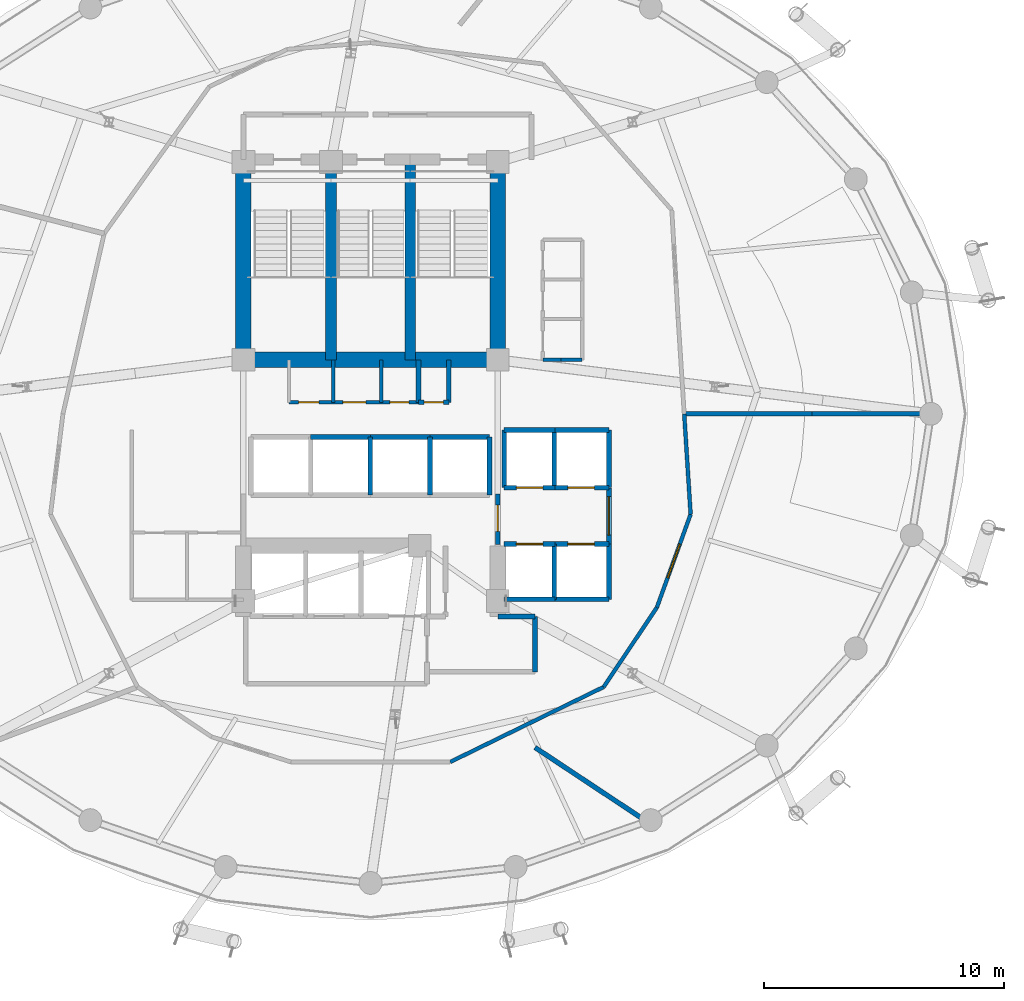
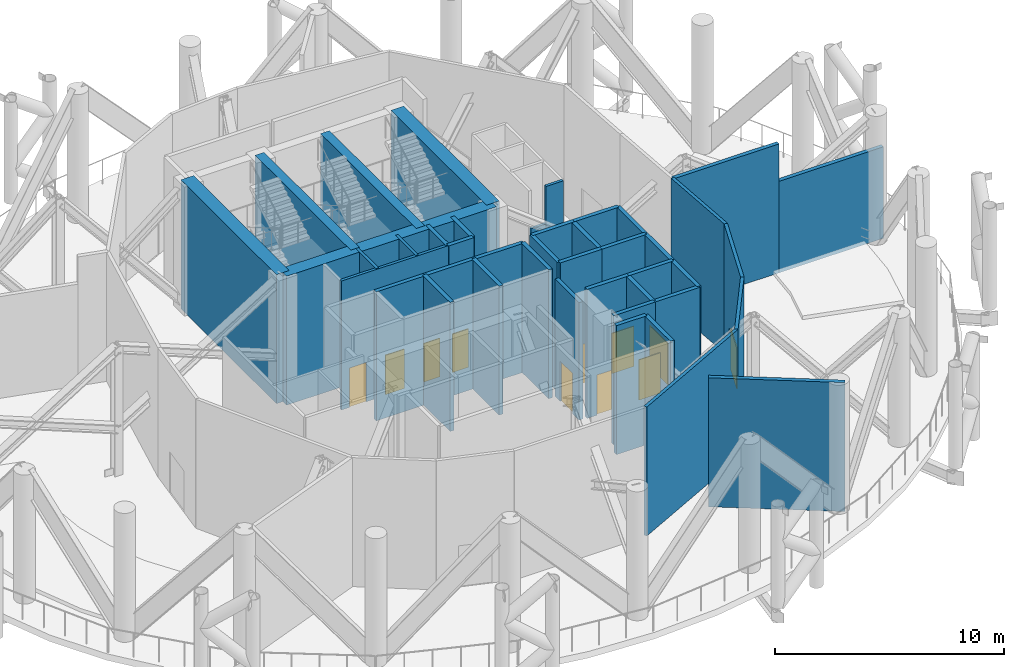
# One storey, part 8 of 18: 43 walls, 11 doors, 11 openings.
"""IFC4 building model written with IfcOpenShell, lengths in metres."""

import ifcopenshell
import ifcopenshell.guid

model = None  # the IFC model being written
_history = None  # IfcOwnerHistory: only IFC2X3 demands one
_inside = {}  # id of a spatial element -> (the spatial element, [elements in it])
_under = {}  # id of a project, library or spatial element -> (it, [spatial elements below it])
_declared = {}  # id of a project -> (the project, [libraries it declares])
_typed = {}  # id of a type object -> (the type object, [elements of that type])
_made_of = {}  # id of a material, layer set ... -> (it, [elements and type objects made of it])


def new_model(schema):
    """Start an empty IFC model of exactly this schema.

    Asked for "IFC4X3", IfcOpenShell would pick the latest addendum, in which some entities
    have other attributes; the version numbers below select the first issue.
    IFC2X3 requires an IfcOwnerHistory on every rooted entity: one is made here for all.
    """
    global model, _history
    if schema == "IFC4X3":
        model = ifcopenshell.file(schema_version=(4, 3, 0, 0))
    else:
        model = ifcopenshell.file(schema=schema)
    _inside.clear()
    _under.clear()
    _declared.clear()
    _typed.clear()
    _made_of.clear()
    _history = None
    if model.schema == "IFC2X3":
        org = make("IfcOrganization", Name="unknown")
        user = make(
            "IfcPersonAndOrganization",
            ThePerson=make("IfcPerson", FamilyName="unknown"),
            TheOrganization=org,
        )
        app = make(
            "IfcApplication",
            ApplicationDeveloper=org,
            Version="unknown",
            ApplicationFullName="unknown",
            ApplicationIdentifier="unknown",
        )
        _history = make(
            "IfcOwnerHistory",
            OwningUser=user,
            OwningApplication=app,
            ChangeAction="ADDED",
            CreationDate=0,
        )
    return model


def make(cls, **values):
    """One entity of the class cls with the attributes given. An attribute that is None is left unset."""
    return model.create_entity(
        cls, **{name: value for name, value in values.items() if value is not None}
    )


def rooted(cls, **values):
    """An entity with a GlobalId (a new one), such as an element, a storey or a relation."""
    return make(cls, GlobalId=ifcopenshell.guid.new(), OwnerHistory=_history, **values)


def si_unit(unit_type, name, prefix=None):
    """IfcSIUnit, for example si_unit("LENGTHUNIT", "METRE", prefix="MILLI")."""
    return make("IfcSIUnit", UnitType=unit_type, Prefix=prefix, Name=name)


def assignment(units):
    """IfcUnitAssignment: the units of a project."""
    return None if units is None else make("IfcUnitAssignment", Units=units)


def point(xyz):
    """IfcCartesianPoint."""
    return None if xyz is None else make("IfcCartesianPoint", Coordinates=xyz)


def direction(xyz):
    """IfcDirection."""
    return None if xyz is None else make("IfcDirection", DirectionRatios=xyz)


def frame(location, z_axis=None, x_axis=None):
    """IfcAxis2Placement3D, a coordinate frame: its origin and axes. An axis left out is left unset."""
    return make(
        "IfcAxis2Placement3D",
        Location=point(location),
        Axis=direction(z_axis),
        RefDirection=direction(x_axis),
    )


def frame_2d(location, x_axis=None):
    """IfcAxis2Placement2D, a coordinate frame in the plane: its origin and x axis."""
    return make(
        "IfcAxis2Placement2D", Location=point(location), RefDirection=direction(x_axis)
    )


def origin():
    """The frame at (0, 0, 0) with its axes left unset."""
    return frame((0.0, 0.0, 0.0))


def place(relative_to, where):
    """IfcLocalPlacement: puts the frame where relative to a parent placement (None: the world)."""
    return make(
        "IfcLocalPlacement", PlacementRelTo=relative_to, RelativePlacement=where
    )


def context(
    kind, dimensions, precision=None, world=None, true_north=None, identifier=None
):
    """IfcGeometricRepresentationContext, for example the 3D "Model" context."""
    return make(
        "IfcGeometricRepresentationContext",
        ContextIdentifier=identifier,
        ContextType=kind,
        CoordinateSpaceDimension=dimensions,
        Precision=precision,
        WorldCoordinateSystem=world,
        TrueNorth=true_north,
    )


def subcontext(parent, identifier, kind, view, scale=None):
    """IfcGeometricRepresentationSubContext, for example "Body" below "Model"."""
    return make(
        "IfcGeometricRepresentationSubContext",
        ContextIdentifier=identifier,
        ContextType=kind,
        ParentContext=parent,
        TargetScale=scale,
        TargetView=view,
    )


def project(units=None, contexts=None):
    """IfcProject with its units and contexts."""
    return rooted(
        "IfcProject",
        Name="project",
        RepresentationContexts=contexts,
        UnitsInContext=assignment(units),
    )


def spatial(cls, under=None, at=None, **own):
    """A site, building, storey or space (cls), placed at a placement, below another one or the project."""
    s = rooted(cls, ObjectPlacement=at, **own)
    if under is not None:
        _under.setdefault(under.id(), (under, []))[1].append(s)
    return s


def profile(cls, at=None, kind="AREA", **sizes):
    """A parametric profile (cls). Its sizes go by their IFC names, for example OverallWidth=200.0."""
    return make(cls, ProfileType=kind, Position=at, **sizes)


def rectangle(**sizes):
    """IfcRectangleProfileDef."""
    return profile("IfcRectangleProfileDef", **sizes)


def extrude(swept, where, along, depth):
    """IfcExtrudedAreaSolid: the profile swept, set in the frame where, extruded along a direction by depth."""
    return make(
        "IfcExtrudedAreaSolid",
        SweptArea=swept,
        Position=where,
        ExtrudedDirection=direction(along),
        Depth=depth,
    )


def shape(context_of_items, identifier, shape_type, items):
    """IfcShapeRepresentation: the items that make up one representation, for example the "Body"."""
    return make(
        "IfcShapeRepresentation",
        ContextOfItems=context_of_items,
        RepresentationIdentifier=identifier,
        RepresentationType=shape_type,
        Items=items,
    )


def material(Name=None, Category=None):
    """IfcMaterial."""
    return make("IfcMaterial", Name=Name, Category=Category)


def layer(
    of_material, thickness, ventilated=None, Name=None, Category=None, Priority=None
):
    """IfcMaterialLayer: one layer of a wall or slab, of a material (None: an air gap)."""
    return make(
        "IfcMaterialLayer",
        Material=of_material,
        LayerThickness=thickness,
        IsVentilated=ventilated,
        Name=Name,
        Category=Category,
        Priority=Priority,
    )


def layer_set(layers, Name=None):
    """IfcMaterialLayerSet."""
    return make("IfcMaterialLayerSet", MaterialLayers=layers, LayerSetName=Name)


def made_of(thing, what):
    """Note that an element or type object is made of a material, layer set ...; save() writes the relation."""
    if what is not None:
        _made_of.setdefault(what.id(), (what, []))[1].append(thing)
    return thing


def type_object(cls, material=None, **own):
    """A type object (cls), such as IfcWallType, which elements share."""
    return made_of(rooted(cls, **own), material)


def element(
    cls,
    number,
    at=None,
    inside=None,
    cuts=None,
    type_object=None,
    material=None,
    context=None,
    identifier="Body",
    shape_type=None,
    held_by="IfcProductDefinitionShape",
    body=None,
    shapes=None,
    **own,
):
    """One element of the class cls, such as IfcWall. Its Tag is "e" and its number.

    at: its placement. inside: the storey or other place that contains it. cuts: it is an
    opening in that element (IfcRelVoidsElement). A single representation is given by context,
    identifier, shape_type and body (its items); several are given by shapes. held_by: the class
    of the entity that holds the representations. save() writes the other relations.
    """
    e = rooted(cls, Tag="e%d" % number, ObjectPlacement=at, **own)
    if body is not None:
        shapes = [shape(context, identifier, shape_type, body)]
    if shapes is not None:
        e.Representation = make(held_by, Representations=shapes)
    if inside is not None:
        _inside.setdefault(inside.id(), (inside, []))[1].append(e)
    if cuts is not None:
        rooted(
            "IfcRelVoidsElement", RelatingBuildingElement=cuts, RelatedOpeningElement=e
        )
    if type_object is not None:
        _typed.setdefault(type_object.id(), (type_object, []))[1].append(e)
    return made_of(e, material)


def fill(opening, filler):
    """IfcRelFillsElement: the door or window that sits in an opening."""
    return rooted(
        "IfcRelFillsElement",
        RelatingOpeningElement=opening,
        RelatedBuildingElement=filler,
    )


def aggregate(whole, parts):
    """IfcRelAggregates: a whole, such as a stair, and the parts it consists of."""
    return rooted("IfcRelAggregates", RelatingObject=whole, RelatedObjects=parts)


def save(model, path):
    """Write the relations noted so far, then the file.

    IfcRelAggregates (storeys below a building ...), IfcRelContainedInSpatialStructure (elements
    in a storey), IfcRelDefinesByType, IfcRelAssociatesMaterial and IfcRelDeclares: one each for
    every whole, place, type object, material and project.
    """
    for whole, parts in _under.values():
        aggregate(whole, parts)
    for where, things in _inside.values():
        rooted(
            "IfcRelContainedInSpatialStructure",
            RelatedElements=things,
            RelatingStructure=where,
        )
    for kind, things in _typed.values():
        rooted("IfcRelDefinesByType", RelatedObjects=things, RelatingType=kind)
    for what, things in _made_of.values():
        rooted("IfcRelAssociatesMaterial", RelatedObjects=things, RelatingMaterial=what)
    for by, libraries in _declared.values():
        rooted("IfcRelDeclares", RelatingContext=by, RelatedDefinitions=libraries)
    model.write(path)


model = new_model("IFC4")

# Units and contexts
model_context = context("Model", 3, precision=1e-05, world=origin(), true_north=direction((0.0, 1.0)))
body_context = subcontext(model_context, "Body", "Model", "MODEL_VIEW")
ifc_project = project(units=[si_unit("LENGTHUNIT", "METRE"), si_unit("AREAUNIT", "SQUARE_METRE"), si_unit("VOLUMEUNIT", "CUBIC_METRE"), si_unit("PLANEANGLEUNIT", "RADIAN"), si_unit("MASSUNIT", "GRAM", prefix="KILO")], contexts=[model_context])

# Site, building, storey
site_placement = place(None, origin())
site = spatial("IfcSite", under=ifc_project, at=site_placement, CompositionType="ELEMENT")
building_placement = place(site_placement, origin())
building = spatial("IfcBuilding", under=site, at=building_placement, Name="Nuhasar Tower", CompositionType="ELEMENT")
storey_placement = place(building_placement, frame((0.0, 0.0, 195.949951171875)))
storey = spatial("IfcBuildingStorey", under=building, at=storey_placement, Name="L48", CompositionType="ELEMENT", Elevation=195.949951171875)

# Walls
ifc_material_1 = material(Name="Concrete C50/60", Category="concrete")
ifc_layer_1 = layer(ifc_material_1, 0.449951171875)
ifc_layer_set_1 = layer_set([ifc_layer_1], Name="Concrete C50/60")
wall_type_1 = type_object("IfcWallType", Name="WL-CORE-450", PredefinedType="SHEAR", material=ifc_layer_set_1)
for number, where, z_axis, x_axis, name in (
    (1, (37.35009765625, 29.050048828125, 0.0), (0.0, 0.0, 1.0), (0.0, 1.0, 0.0), "L48 Stairwell Shear Wall ST01-E"),
    (2, (40.64990234375, 29.050048828125, 0.0), (0.0, 0.0, 1.0), (0.0, 1.0, 0.0), "L48 Stairwell Shear Wall ST03-E"),
):
    element("IfcWall", number, at=place(storey_placement, frame(where, z_axis=z_axis, x_axis=x_axis)), inside=storey, type_object=wall_type_1, Name=name, PredefinedType="SHEAR", context=body_context, shape_type="SweptSolid", body=[
        extrude(rectangle(XDim=8.349853515625, YDim=0.449951171875, at=frame_2d((4.1748046875, 0.0))), origin(), (0.0, 0.0, 1.0), 6.880126953125),
    ])
ifc_material_2 = material(Name="Concrete C65/80", Category="concrete")
ifc_layer_2 = layer(ifc_material_2, 0.64990234375)
ifc_layer_set_2 = layer_set([ifc_layer_2], Name="Concrete C65/80")
wall_type_2 = type_object("IfcWallType", Name="WL-CORE-650", PredefinedType="SHEAR", material=ifc_layer_set_2)
for number, where, z_axis, x_axis, name in (
    (3, (33.699951171875, 29.050048828125, 0.0), (0.0, 0.0, 1.0), (0.0, 1.0, 0.0), "L48 Core Shear Wall CW-NW CW-650"),
    (4, (44.300048828125, 29.050048828125, 0.0), (0.0, 0.0, 1.0), (0.0, 1.0, 0.0), "L48 Core Shear Wall CW-NE CW-650"),
):
    element("IfcWall", number, at=place(storey_placement, frame(where, z_axis=z_axis, x_axis=x_axis)), inside=storey, type_object=wall_type_2, Name=name, PredefinedType="SHEAR", context=body_context, shape_type="SweptSolid", body=[
        extrude(rectangle(XDim=8.349853515625, YDim=0.64990234375, at=frame_2d((4.1748046875, 0.0))), origin(), (0.0, 0.0, 1.0), 6.880126953125),
    ])
wall_1_placement = place(storey_placement, frame((33.699951171875, 29.050048828125, 0.0), z_axis=(0.0, 0.0, 1.0), x_axis=(1.0, 0.0, 0.0)))
element("IfcWall", 5, at=wall_1_placement, inside=storey, type_object=wall_type_2, Name="L48 Core Shear Wall CW-N1 CW-650", PredefinedType="SHEAR", context=body_context, shape_type="SweptSolid", body=[
    extrude(rectangle(XDim=10.60009765625, YDim=0.64990234375, at=frame_2d((5.300048828125, 0.0))), origin(), (0.0, 0.0, 1.0), 6.880126953125),
])
ifc_material_3 = material(Name="Gypsum Board", Category="gypsum")
ifc_layer_3 = layer(ifc_material_3, 0.159912109375)
ifc_layer_set_3 = layer_set([ifc_layer_3], Name="Gypsum Board")
wall_type_3 = type_object("IfcWallType", Name="WL-CORR-160", PredefinedType="PARTITIONING", material=ifc_layer_set_3)
wall_2_placement = place(storey_placement, frame((42.318115234375, 12.2919921875, 0.0), z_axis=(0.0, 0.0, 1.0), x_axis=(0.898437278598, 0.439101874768, 0.0)))
element("IfcWall", 6, at=wall_2_placement, inside=storey, type_object=wall_type_3, Name="L48 Interior Partition CORR-38", PredefinedType="PARTITIONING", context=body_context, shape_type="SweptSolid", body=[
    extrude(rectangle(XDim=7.119140625, YDim=0.159912109375, at=frame_2d((3.5595703125, 0.0))), origin(), (0.0, 0.0, 1.0), 6.880126953125),
])
wall_3_placement = place(storey_placement, frame((48.714111328125, 15.41796875, 0.0), z_axis=(0.0, 0.0, 1.0), x_axis=(0.556056751682, 0.831144324958, 0.0)))
element("IfcWall", 7, at=wall_3_placement, inside=storey, type_object=wall_type_3, Name="L48 Interior Partition CORR-42", PredefinedType="PARTITIONING", context=body_context, shape_type="SweptSolid", body=[
    extrude(rectangle(XDim=3.98486328125, YDim=0.159912109375, at=frame_2d((1.992431640625, 0.0))), origin(), (0.0, 0.0, 1.0), 6.880126953125),
])

# Wall, opening, door
wall_4_placement = place(storey_placement, frame((52.3369140625, 22.614013671875, 0.0), z_axis=(0.0, 0.0, 1.0), x_axis=(-0.34058972089, -0.940212019719, 0.0)))
wall_4 = element("IfcWall", 8, at=wall_4_placement, inside=storey, type_object=wall_type_3, Name="L48 Interior Partition CORR-44", PredefinedType="PARTITIONING", context=body_context, shape_type="SweptSolid", body=[
    extrude(rectangle(XDim=4.131103515625, YDim=0.159912109375, at=frame_2d((2.0654296875, 0.0))), origin(), (0.0, 0.0, 1.0), 6.880126953125),
])
opening_1_placement = place(wall_4_placement, frame((1.31494140625, 0.0, 0.0)))
opening_1 = element("IfcOpeningElement", 9, at=opening_1_placement, cuts=wall_4, Name="Opening DP-01", PredefinedType="OPENING", context=body_context, shape_type="SweptSolid", body=[
    extrude(rectangle(XDim=1.5, YDim=2.199951171875, at=frame_2d((0.75, 1.10009765625))), frame((0.0, 0.08984375, 0.0), z_axis=(0.0, -1.0, 0.0), x_axis=(1.0, 0.0, 0.0)), (0.0, 0.0, 1.0), 0.179931640625),
])
ifc_material_4 = material(Name="Steel S355", Category="steel")
door_type_1 = type_object("IfcDoorType", Name="DR-PLANT-FD120-1500", OperationType="DOUBLE_DOOR_SINGLE_SWING", PredefinedType="DOOR", material=ifc_material_4)
door_1_placement = place(opening_1_placement, origin())
door_1 = element("IfcDoor", 10, at=door_1_placement, inside=storey, type_object=door_type_1, Name="L48 South-East Electrical Switchgear Plant Door", OperationType="DOUBLE_DOOR_SINGLE_SWING", OverallHeight=2.199951171875, OverallWidth=1.5, PredefinedType="DOOR", context=body_context, shape_type="SweptSolid", body=[
    extrude(rectangle(XDim=1.5, YDim=2.199951171875, at=frame_2d((0.75, 1.10009765625))), frame((0.0, 0.02490234375, 0.0), z_axis=(0.0, -1.0, 0.0), x_axis=(1.0, 0.0, 0.0)), (0.0, 0.0, 1.0), 0.050048828125),
])
fill(opening_1, door_1)

# Wall
wall_5_placement = place(storey_placement, frame((52.3369140625, 22.614013671875, 0.0), z_axis=(0.0, 0.0, 1.0), x_axis=(-0.063617518313, 0.997974354061, 0.0)))
element("IfcWall", 11, at=wall_5_placement, inside=storey, type_object=wall_type_3, Name="L48 Interior Partition CORR-46", PredefinedType="PARTITIONING", context=body_context, shape_type="SweptSolid", body=[
    extrude(rectangle(XDim=4.194580078125, YDim=0.159912109375, at=frame_2d((2.09716796875, 0.0))), origin(), (0.0, 0.0, 1.0), 6.880126953125),
])

# Wall, opening, door
ifc_material_5 = material(Name="Concrete C45/55", Category="concrete")
ifc_layer_4 = layer(ifc_material_5, 0.199951171875)
ifc_layer_set_4 = layer_set([ifc_layer_4], Name="Concrete C45/55")
wall_type_4 = type_object("IfcWallType", Name="WL-LOBBY-200", PredefinedType="SOLIDWALL", material=ifc_layer_set_4)
wall_6_placement = place(storey_placement, frame((48.929931640625, 21.3798828125, 0.0), z_axis=(0.0, 0.0, 1.0), x_axis=(0.0, 1.0, 0.0)))
wall_6 = element("IfcWall", 12, at=wall_6_placement, inside=storey, type_object=wall_type_4, Name="L48 Interior Partition LLBM-E", PredefinedType="SOLIDWALL", context=body_context, shape_type="SweptSolid", body=[
    extrude(rectangle(XDim=2.340087890625, YDim=0.199951171875, at=frame_2d((1.169921875, 0.0))), origin(), (0.0, 0.0, 1.0), 6.880126953125),
])
opening_2_placement = place(wall_6_placement, frame((0.3701171875, 0.0, 0.0)))
opening_2 = element("IfcOpeningElement", 13, at=opening_2_placement, cuts=wall_6, Name="Opening DC-01", PredefinedType="OPENING", context=body_context, shape_type="SweptSolid", body=[
    extrude(rectangle(XDim=1.60009765625, YDim=2.199951171875, at=frame_2d((0.800048828125, 1.10009765625))), frame((0.0, 0.10986328125, 0.0), z_axis=(0.0, -1.0, 0.0), x_axis=(1.0, 0.0, 0.0)), (0.0, 0.0, 1.0), 0.219970703125),
])
door_type_2 = type_object("IfcDoorType", Name="DR-CORR-FD60-1600", OperationType="DOUBLE_DOOR_SINGLE_SWING", PredefinedType="DOOR", material=ifc_material_4)
door_2_placement = place(opening_2_placement, origin())
door_2 = element("IfcDoor", 14, at=door_2_placement, inside=storey, type_object=door_type_2, Name="L48 Mid-Rise Lift Lobby East Entry", OperationType="DOUBLE_DOOR_SINGLE_SWING", OverallHeight=2.199951171875, OverallWidth=1.60009765625, PredefinedType="DOOR", context=body_context, shape_type="SweptSolid", body=[
    extrude(rectangle(XDim=1.60009765625, YDim=2.199951171875, at=frame_2d((0.800048828125, 1.10009765625))), frame((0.0, 0.02490234375, 0.0), z_axis=(0.0, -1.0, 0.0), x_axis=(1.0, 0.0, 0.0)), (0.0, 0.0, 1.0), 0.050048828125),
])
fill(opening_2, door_2)

wall_7_placement = place(storey_placement, frame((44.300048828125, 21.35009765625, 0.0), z_axis=(0.0, 0.0, 1.0), x_axis=(0.0, 1.0, 0.0)))
wall_7 = element("IfcWall", 15, at=wall_7_placement, inside=storey, type_object=wall_type_4, Name="L48 Interior Partition LLBH-E", PredefinedType="SOLIDWALL", context=body_context, shape_type="SweptSolid", body=[
    extrude(rectangle(XDim=2.099853515625, YDim=0.199951171875, at=frame_2d((1.0498046875, 0.0))), origin(), (0.0, 0.0, 1.0), 6.26513671875),
])
opening_3_placement = place(wall_7_placement, frame((0.550048828125, 0.0, 0.0)))
opening_3 = element("IfcOpeningElement", 16, at=opening_3_placement, cuts=wall_7, Name="Opening DS-02", PredefinedType="OPENING", context=body_context, shape_type="SweptSolid", body=[
    extrude(rectangle(XDim=1.10009765625, YDim=2.14990234375, at=frame_2d((0.550048828125, 1.074951171875))), frame((0.0, 0.10986328125, 0.0), z_axis=(0.0, -1.0, 0.0), x_axis=(1.0, 0.0, 0.0)), (0.0, 0.0, 1.0), 0.219970703125),
])
door_type_3 = type_object("IfcDoorType", Name="DR-FFL-FD120-1100", OperationType="NOTDEFINED", PredefinedType="DOOR", material=ifc_material_4)
door_3_placement = place(opening_3_placement, origin())
door_3 = element("IfcDoor", 17, at=door_3_placement, inside=storey, type_object=door_type_3, Name="L48 High-Rise Lobby East Door", OperationType="SINGLE_SWING_RIGHT", OverallHeight=2.14990234375, OverallWidth=1.10009765625, PredefinedType="DOOR", context=body_context, shape_type="SweptSolid", body=[
    extrude(rectangle(XDim=1.10009765625, YDim=2.14990234375, at=frame_2d((0.550048828125, 1.074951171875))), frame((0.0, 0.02490234375, 0.0), z_axis=(0.0, -1.0, 0.0), x_axis=(1.0, 0.0, 0.0)), (0.0, 0.0, 1.0), 0.050048828125),
])
fill(opening_3, door_3)

# Walls
wall_8_placement = place(storey_placement, frame((45.85009765625, 16.050048828125, 0.0), z_axis=(0.0, 0.0, 1.0), x_axis=(0.0, 1.0, 0.0)))
element("IfcWall", 18, at=wall_8_placement, inside=storey, type_object=wall_type_4, Name="L48 Interior Partition SVLV-E", PredefinedType="SOLIDWALL", context=body_context, shape_type="SweptSolid", body=[
    extrude(rectangle(XDim=2.300048828125, YDim=0.199951171875, at=frame_2d((1.14990234375, 0.0))), origin(), (0.0, 0.0, 1.0), 6.880126953125),
])
wall_9_placement = place(storey_placement, frame((44.300048828125, 18.35009765625, 0.0), z_axis=(0.0, 0.0, 1.0), x_axis=(1.0, 0.0, 0.0)))
element("IfcWall", 19, at=wall_9_placement, inside=storey, type_object=wall_type_4, Name="L48 Interior Partition SVLV-N", PredefinedType="SOLIDWALL", context=body_context, shape_type="SweptSolid", body=[
    extrude(rectangle(XDim=1.550048828125, YDim=0.199951171875, at=frame_2d((0.77490234375, 0.0))), origin(), (0.0, 0.0, 1.0), 6.880126953125),
])
wall_10_placement = place(storey_placement, frame((52.070068359375, 26.800048828125, 0.0), z_axis=(0.0, 0.0, 1.0), x_axis=(1.0, 0.0, 0.0)))
element("IfcWall", 20, at=wall_10_placement, inside=storey, type_object=wall_type_4, Name="L48 Interior Partition WRAD-00", PredefinedType="SOLIDWALL", context=body_context, shape_type="SweptSolid", body=[
    extrude(rectangle(XDim=5.322998046875, YDim=0.199951171875, at=frame_2d((2.66162109375, 0.0))), origin(), (0.0, 0.0, 1.0), 6.880126953125),
])
wall_11_placement = place(storey_placement, frame((57.39306640625, 26.800048828125, 0.0), z_axis=(0.0, 0.0, 1.0), x_axis=(1.0, 0.0, 0.0)))
element("IfcWall", 21, at=wall_11_placement, inside=storey, type_object=wall_type_4, Name="L48 Interior Partition WRAD-00", PredefinedType="SOLIDWALL", context=body_context, shape_type="SweptSolid", body=[
    extrude(rectangle(XDim=5.27197265625, YDim=0.199951171875, at=frame_2d((2.635986328125, 0.0))), origin(), (0.0, 0.0, 1.0), 4.880126953125),
])
wall_12_placement = place(storey_placement, frame((45.85205078125, 12.89501953125, 0.0), z_axis=(0.0, 0.0, 1.0), x_axis=(0.833712545804, -0.552198687945, 0.0)))
element("IfcWall", 22, at=wall_12_placement, inside=storey, type_object=wall_type_4, Name="L48 Interior Partition WRAD-40", PredefinedType="SOLIDWALL", context=body_context, shape_type="SweptSolid", body=[
    extrude(rectangle(XDim=5.974365234375, YDim=0.199951171875, at=frame_2d((2.9873046875, 0.0))), origin(), (0.0, 0.0, 1.0), 6.880126953125),
])
ifc_layer_5 = layer(ifc_material_5, 0.199951171875)
ifc_layer_set_5 = layer_set([ifc_layer_5], Name="Concrete C45/55")
wall_type_5 = type_object("IfcWallType", Name="WL-SHAFT-200", PredefinedType="SOLIDWALL", material=ifc_layer_set_5)
for number, where, z_axis, x_axis, name in (
    (23, (41.0, 27.280029296875, 0.0), (0.0, 0.0, 1.0), (0.0, 1.0, 0.0), "L48 Interior Partition RSRN-W"),
    (24, (42.260009765625, 27.280029296875, 0.0), (0.0, 0.0, 1.0), (0.0, 1.0, 0.0), "L48 Interior Partition RSRN-E"),
):
    element("IfcWall", number, at=place(storey_placement, frame(where, z_axis=z_axis, x_axis=x_axis)), inside=storey, type_object=wall_type_5, Name=name, PredefinedType="SOLIDWALL", context=body_context, shape_type="SweptSolid", body=[
        extrude(rectangle(XDim=1.77001953125, YDim=0.199951171875, at=frame_2d((0.885009765625, 0.0))), origin(), (0.0, 0.0, 1.0), 6.880126953125),
    ])

# Wall, opening, door
wall_13_placement = place(storey_placement, frame((41.0, 27.280029296875, 0.0), z_axis=(0.0, 0.0, 1.0), x_axis=(1.0, 0.0, 0.0)))
wall_13 = element("IfcWall", 25, at=wall_13_placement, inside=storey, type_object=wall_type_5, Name="L48 Interior Partition RSRN-S", PredefinedType="SOLIDWALL", context=body_context, shape_type="SweptSolid", body=[
    extrude(rectangle(XDim=1.260009765625, YDim=0.199951171875, at=frame_2d((0.6298828125, 0.0))), origin(), (0.0, 0.0, 1.0), 6.880126953125),
])
opening_4_placement = place(wall_13_placement, frame((0.22998046875, 0.0, 0.0)))
opening_4 = element("IfcOpeningElement", 26, at=opening_4_placement, cuts=wall_13, Name="Opening DM-01", PredefinedType="OPENING", context=body_context, shape_type="SweptSolid", body=[
    extrude(rectangle(XDim=0.800048828125, YDim=2.050048828125, at=frame_2d((0.39990234375, 1.02490234375))), frame((0.0, 0.10986328125, 0.0), z_axis=(0.0, -1.0, 0.0), x_axis=(1.0, 0.0, 0.0)), (0.0, 0.0, 1.0), 0.219970703125),
])
door_type_4 = type_object("IfcDoorType", Name="DR-RISER-FD60-800", OperationType="NOTDEFINED", PredefinedType="DOOR", material=ifc_material_4)
door_4_placement = place(opening_4_placement, origin())
door_4 = element("IfcDoor", 27, at=door_4_placement, inside=storey, type_object=door_type_4, Name="L48 North Smoke Riser Door", OperationType="SINGLE_SWING_RIGHT", OverallHeight=2.050048828125, OverallWidth=0.800048828125, PredefinedType="DOOR", context=body_context, shape_type="SweptSolid", body=[
    extrude(rectangle(XDim=0.800048828125, YDim=2.050048828125, at=frame_2d((0.39990234375, 1.02490234375))), frame((0.0, 0.02490234375, 0.0), z_axis=(0.0, -1.0, 0.0), x_axis=(1.0, 0.0, 0.0)), (0.0, 0.0, 1.0), 0.050048828125),
])
fill(opening_4, door_4)

wall_14_placement = place(storey_placement, frame((44.570068359375, 23.719970703125, 0.0), z_axis=(0.0, 0.0, 1.0), x_axis=(1.0, 0.0, 0.0)))
wall_14 = element("IfcWall", 28, at=wall_14_placement, inside=storey, type_object=wall_type_5, Name="L48 Interior Partition SHF-PL-M01-S", PredefinedType="SOLIDWALL", context=body_context, shape_type="SweptSolid", body=[
    extrude(rectangle(XDim=2.10986328125, YDim=0.199951171875, at=frame_2d((1.054931640625, 0.0))), origin(), (0.0, 0.0, 1.0), 6.880126953125),
])
opening_5_placement = place(wall_14_placement, frame((0.5048828125, 0.0, 0.0)))
opening_5 = element("IfcOpeningElement", 29, at=opening_5_placement, cuts=wall_14, Name="Opening LD-M01", PredefinedType="OPENING", context=body_context, shape_type="SweptSolid", body=[
    extrude(rectangle(XDim=1.10009765625, YDim=2.14990234375, at=frame_2d((0.550048828125, 1.074951171875))), frame((0.0, 0.10986328125, 0.0), z_axis=(0.0, -1.0, 0.0), x_axis=(1.0, 0.0, 0.0)), (0.0, 0.0, 1.0), 0.219970703125),
])
ifc_material_6 = material(Name="Stainless Steel 316L", Category="steel")
door_type_5 = type_object("IfcDoorType", Name="LD-PAX-1100", OperationType="DOUBLE_DOOR_SLIDING", PredefinedType="DOOR", material=ifc_material_6)
door_5_placement = place(opening_5_placement, origin())
door_5 = element("IfcDoor", 30, at=door_5_placement, inside=storey, type_object=door_type_5, Name="L48 Lift Landing Door PL-M01", OperationType="DOUBLE_DOOR_SLIDING", OverallHeight=2.14990234375, OverallWidth=1.10009765625, PredefinedType="DOOR", context=body_context, shape_type="SweptSolid", body=[
    extrude(rectangle(XDim=1.10009765625, YDim=2.14990234375, at=frame_2d((0.550048828125, 1.074951171875))), frame((0.0, 0.02490234375, 0.0), z_axis=(0.0, -1.0, 0.0), x_axis=(1.0, 0.0, 0.0)), (0.0, 0.0, 1.0), 0.050048828125),
])
fill(opening_5, door_5)

# Walls
wall_15_placement = place(storey_placement, frame((44.570068359375, 26.1298828125, 0.0), z_axis=(0.0, 0.0, 1.0), x_axis=(1.0, 0.0, 0.0)))
element("IfcWall", 31, at=wall_15_placement, inside=storey, type_object=wall_type_5, Name="L48 Interior Partition SHF-PL-M01-N", PredefinedType="SOLIDWALL", context=body_context, shape_type="SweptSolid", body=[
    extrude(rectangle(XDim=2.10986328125, YDim=0.199951171875, at=frame_2d((1.054931640625, 0.0))), origin(), (0.0, 0.0, 1.0), 6.880126953125),
])
for number, where, z_axis, x_axis, name in (
    (32, (44.570068359375, 23.719970703125, 0.0), (0.0, 0.0, 1.0), (0.0, 1.0, 0.0), "L48 Interior Partition SHF-PL-M01-W"),
    (33, (46.64990234375, 23.719970703125, 0.0), (0.0, 0.0, 1.0), (0.0, 1.0, 0.0), "L48 Interior Partition SHF-PL-M01-E"),
):
    element("IfcWall", number, at=place(storey_placement, frame(where, z_axis=z_axis, x_axis=x_axis)), inside=storey, type_object=wall_type_5, Name=name, PredefinedType="SOLIDWALL", context=body_context, shape_type="SweptSolid", body=[
        extrude(rectangle(XDim=2.409912109375, YDim=0.199951171875, at=frame_2d((1.205078125, 0.0))), origin(), (0.0, 0.0, 1.0), 6.880126953125),
    ])

# Wall, opening, door
wall_16_placement = place(storey_placement, frame((46.6201171875, 23.719970703125, 0.0), z_axis=(0.0, 0.0, 1.0), x_axis=(1.0, 0.0, 0.0)))
wall_16 = element("IfcWall", 34, at=wall_16_placement, inside=storey, type_object=wall_type_5, Name="L48 Interior Partition SHF-PL-M02-S", PredefinedType="SOLIDWALL", context=body_context, shape_type="SweptSolid", body=[
    extrude(rectangle(XDim=2.309814453125, YDim=0.199951171875, at=frame_2d((1.15478515625, 0.0))), origin(), (0.0, 0.0, 1.0), 6.880126953125),
])
opening_6_placement = place(wall_16_placement, frame((0.60498046875, 0.0, 0.0)))
opening_6 = element("IfcOpeningElement", 35, at=opening_6_placement, cuts=wall_16, Name="Opening LD-M02", PredefinedType="OPENING", context=body_context, shape_type="SweptSolid", body=[
    extrude(rectangle(XDim=1.10009765625, YDim=2.14990234375, at=frame_2d((0.550048828125, 1.074951171875))), frame((0.0, 0.10986328125, 0.0), z_axis=(0.0, -1.0, 0.0), x_axis=(1.0, 0.0, 0.0)), (0.0, 0.0, 1.0), 0.219970703125),
])
door_6_placement = place(opening_6_placement, origin())
door_6 = element("IfcDoor", 36, at=door_6_placement, inside=storey, type_object=door_type_5, Name="L48 Lift Landing Door PL-M02", OperationType="DOUBLE_DOOR_SLIDING", OverallHeight=2.14990234375, OverallWidth=1.10009765625, PredefinedType="DOOR", context=body_context, shape_type="SweptSolid", body=[
    extrude(rectangle(XDim=1.10009765625, YDim=2.14990234375, at=frame_2d((0.550048828125, 1.074951171875))), frame((0.0, 0.02490234375, 0.0), z_axis=(0.0, -1.0, 0.0), x_axis=(1.0, 0.0, 0.0)), (0.0, 0.0, 1.0), 0.050048828125),
])
fill(opening_6, door_6)

# Walls
wall_17_placement = place(storey_placement, frame((46.6201171875, 26.1298828125, 0.0), z_axis=(0.0, 0.0, 1.0), x_axis=(1.0, 0.0, 0.0)))
element("IfcWall", 37, at=wall_17_placement, inside=storey, type_object=wall_type_5, Name="L48 Interior Partition SHF-PL-M02-N", PredefinedType="SOLIDWALL", context=body_context, shape_type="SweptSolid", body=[
    extrude(rectangle(XDim=2.309814453125, YDim=0.199951171875, at=frame_2d((1.15478515625, 0.0))), origin(), (0.0, 0.0, 1.0), 6.880126953125),
])
wall_18_placement = place(storey_placement, frame((48.929931640625, 23.719970703125, 0.0), z_axis=(0.0, 0.0, 1.0), x_axis=(0.0, 1.0, 0.0)))
element("IfcWall", 38, at=wall_18_placement, inside=storey, type_object=wall_type_5, Name="L48 Interior Partition SHF-PL-M02-E", PredefinedType="SOLIDWALL", context=body_context, shape_type="SweptSolid", body=[
    extrude(rectangle(XDim=2.409912109375, YDim=0.199951171875, at=frame_2d((1.205078125, 0.0))), origin(), (0.0, 0.0, 1.0), 6.880126953125),
])
wall_19_placement = place(storey_placement, frame((44.570068359375, 19.070068359375, 0.0), z_axis=(0.0, 0.0, 1.0), x_axis=(1.0, 0.0, 0.0)))
element("IfcWall", 39, at=wall_19_placement, inside=storey, type_object=wall_type_5, Name="L48 Interior Partition SHF-PL-M03-S", PredefinedType="SOLIDWALL", context=body_context, shape_type="SweptSolid", body=[
    extrude(rectangle(XDim=2.10986328125, YDim=0.199951171875, at=frame_2d((1.054931640625, 0.0))), origin(), (0.0, 0.0, 1.0), 6.880126953125),
])

# Wall, opening, door
wall_20_placement = place(storey_placement, frame((44.570068359375, 21.3798828125, 0.0), z_axis=(0.0, 0.0, 1.0), x_axis=(1.0, 0.0, 0.0)))
wall_20 = element("IfcWall", 40, at=wall_20_placement, inside=storey, type_object=wall_type_5, Name="L48 Interior Partition SHF-PL-M03-N", PredefinedType="SOLIDWALL", context=body_context, shape_type="SweptSolid", body=[
    extrude(rectangle(XDim=2.10986328125, YDim=0.199951171875, at=frame_2d((1.054931640625, 0.0))), origin(), (0.0, 0.0, 1.0), 6.880126953125),
])
opening_7_placement = place(wall_20_placement, frame((0.5048828125, 0.0, 0.0)))
opening_7 = element("IfcOpeningElement", 41, at=opening_7_placement, cuts=wall_20, Name="Opening LD-M03", PredefinedType="OPENING", context=body_context, shape_type="SweptSolid", body=[
    extrude(rectangle(XDim=1.10009765625, YDim=2.14990234375, at=frame_2d((0.550048828125, 1.074951171875))), frame((0.0, 0.10986328125, 0.0), z_axis=(0.0, -1.0, 0.0), x_axis=(1.0, 0.0, 0.0)), (0.0, 0.0, 1.0), 0.219970703125),
])
door_7_placement = place(opening_7_placement, origin())
door_7 = element("IfcDoor", 42, at=door_7_placement, inside=storey, type_object=door_type_5, Name="L48 Lift Landing Door PL-M03", OperationType="DOUBLE_DOOR_SLIDING", OverallHeight=2.14990234375, OverallWidth=1.10009765625, PredefinedType="DOOR", context=body_context, shape_type="SweptSolid", body=[
    extrude(rectangle(XDim=1.10009765625, YDim=2.14990234375, at=frame_2d((0.550048828125, 1.074951171875))), frame((0.0, 0.02490234375, 0.0), z_axis=(0.0, -1.0, 0.0), x_axis=(1.0, 0.0, 0.0)), (0.0, 0.0, 1.0), 0.050048828125),
])
fill(opening_7, door_7)

# Walls
for number, where, z_axis, x_axis, name in (
    (43, (46.64990234375, 19.070068359375, 0.0), (0.0, 0.0, 1.0), (0.0, 1.0, 0.0), "L48 Interior Partition SHF-PL-M03-E"),
    (44, (46.6201171875, 19.070068359375, 0.0), (0.0, 0.0, 1.0), (1.0, 0.0, 0.0), "L48 Interior Partition SHF-PL-M04-S"),
):
    element("IfcWall", number, at=place(storey_placement, frame(where, z_axis=z_axis, x_axis=x_axis)), inside=storey, type_object=wall_type_5, Name=name, PredefinedType="SOLIDWALL", context=body_context, shape_type="SweptSolid", body=[
        extrude(rectangle(XDim=2.309814453125, YDim=0.199951171875, at=frame_2d((1.15478515625, 0.0))), origin(), (0.0, 0.0, 1.0), 6.880126953125),
    ])

# Wall, opening, door
wall_21_placement = place(storey_placement, frame((46.6201171875, 21.3798828125, 0.0), z_axis=(0.0, 0.0, 1.0), x_axis=(1.0, 0.0, 0.0)))
wall_21 = element("IfcWall", 45, at=wall_21_placement, inside=storey, type_object=wall_type_5, Name="L48 Interior Partition SHF-PL-M04-N", PredefinedType="SOLIDWALL", context=body_context, shape_type="SweptSolid", body=[
    extrude(rectangle(XDim=2.309814453125, YDim=0.199951171875, at=frame_2d((1.15478515625, 0.0))), origin(), (0.0, 0.0, 1.0), 6.880126953125),
])
opening_8_placement = place(wall_21_placement, frame((0.60498046875, 0.0, 0.0)))
opening_8 = element("IfcOpeningElement", 46, at=opening_8_placement, cuts=wall_21, Name="Opening LD-M04", PredefinedType="OPENING", context=body_context, shape_type="SweptSolid", body=[
    extrude(rectangle(XDim=1.10009765625, YDim=2.14990234375, at=frame_2d((0.550048828125, 1.074951171875))), frame((0.0, 0.10986328125, 0.0), z_axis=(0.0, -1.0, 0.0), x_axis=(1.0, 0.0, 0.0)), (0.0, 0.0, 1.0), 0.219970703125),
])
door_8_placement = place(opening_8_placement, origin())
door_8 = element("IfcDoor", 47, at=door_8_placement, inside=storey, type_object=door_type_5, Name="L48 Lift Landing Door PL-M04", OperationType="DOUBLE_DOOR_SLIDING", OverallHeight=2.14990234375, OverallWidth=1.10009765625, PredefinedType="DOOR", context=body_context, shape_type="SweptSolid", body=[
    extrude(rectangle(XDim=1.10009765625, YDim=2.14990234375, at=frame_2d((0.550048828125, 1.074951171875))), frame((0.0, 0.02490234375, 0.0), z_axis=(0.0, -1.0, 0.0), x_axis=(1.0, 0.0, 0.0)), (0.0, 0.0, 1.0), 0.050048828125),
])
fill(opening_8, door_8)

# Walls
wall_22_placement = place(storey_placement, frame((48.929931640625, 19.070068359375, 0.0), z_axis=(0.0, 0.0, 1.0), x_axis=(0.0, 1.0, 0.0)))
element("IfcWall", 48, at=wall_22_placement, inside=storey, type_object=wall_type_5, Name="L48 Interior Partition SHF-PL-M04-E", PredefinedType="SOLIDWALL", context=body_context, shape_type="SweptSolid", body=[
    extrude(rectangle(XDim=2.309814453125, YDim=0.199951171875, at=frame_2d((1.15478515625, 0.0))), origin(), (0.0, 0.0, 1.0), 6.880126953125),
])
wall_23_placement = place(storey_placement, frame((36.5, 25.830078125, 0.0), z_axis=(0.0, 0.0, 1.0), x_axis=(1.0, 0.0, 0.0)))
element("IfcWall", 49, at=wall_23_placement, inside=storey, type_object=wall_type_5, Name="L48 Interior Partition SHF-PL-H02-N", PredefinedType="SOLIDWALL", context=body_context, shape_type="SweptSolid", body=[
    extrude(rectangle(XDim=2.5, YDim=0.199951171875, at=frame_2d((1.25, 0.0))), origin(), (0.0, 0.0, 1.0), 6.880126953125),
])
wall_24_placement = place(storey_placement, frame((38.989990234375, 23.419921875, 0.0), z_axis=(0.0, 0.0, 1.0), x_axis=(0.0, 1.0, 0.0)))
element("IfcWall", 50, at=wall_24_placement, inside=storey, type_object=wall_type_5, Name="L48 Interior Partition SHF-PL-H02-E", PredefinedType="SOLIDWALL", context=body_context, shape_type="SweptSolid", body=[
    extrude(rectangle(XDim=2.41015625, YDim=0.199951171875, at=frame_2d((1.205078125, 0.0))), origin(), (0.0, 0.0, 1.0), 6.880126953125),
])
wall_25_placement = place(storey_placement, frame((38.97998046875, 25.830078125, 0.0), z_axis=(0.0, 0.0, 1.0), x_axis=(1.0, 0.0, 0.0)))
element("IfcWall", 51, at=wall_25_placement, inside=storey, type_object=wall_type_5, Name="L48 Interior Partition SHF-PL-H03-N", PredefinedType="SOLIDWALL", context=body_context, shape_type="SweptSolid", body=[
    extrude(rectangle(XDim=2.5, YDim=0.199951171875, at=frame_2d((1.25, 0.0))), origin(), (0.0, 0.0, 1.0), 6.880126953125),
])
wall_26_placement = place(storey_placement, frame((41.469970703125, 23.419921875, 0.0), z_axis=(0.0, 0.0, 1.0), x_axis=(0.0, 1.0, 0.0)))
element("IfcWall", 52, at=wall_26_placement, inside=storey, type_object=wall_type_5, Name="L48 Interior Partition SHF-PL-H03-E", PredefinedType="SOLIDWALL", context=body_context, shape_type="SweptSolid", body=[
    extrude(rectangle(XDim=2.41015625, YDim=0.199951171875, at=frame_2d((1.205078125, 0.0))), origin(), (0.0, 0.0, 1.0), 6.880126953125),
])
wall_27_placement = place(storey_placement, frame((41.4599609375, 25.830078125, 0.0), z_axis=(0.0, 0.0, 1.0), x_axis=(1.0, 0.0, 0.0)))
element("IfcWall", 53, at=wall_27_placement, inside=storey, type_object=wall_type_5, Name="L48 Interior Partition SHF-PL-H04-N", PredefinedType="SOLIDWALL", context=body_context, shape_type="SweptSolid", body=[
    extrude(rectangle(XDim=2.5, YDim=0.199951171875, at=frame_2d((1.25, 0.0))), origin(), (0.0, 0.0, 1.0), 6.880126953125),
])
wall_28_placement = place(storey_placement, frame((43.9599609375, 23.419921875, 0.0), z_axis=(0.0, 0.0, 1.0), x_axis=(0.0, 1.0, 0.0)))
element("IfcWall", 54, at=wall_28_placement, inside=storey, type_object=wall_type_5, Name="L48 Interior Partition SHF-PL-H04-E", PredefinedType="SOLIDWALL", context=body_context, shape_type="SweptSolid", body=[
    extrude(rectangle(XDim=2.41015625, YDim=0.199951171875, at=frame_2d((1.205078125, 0.0))), origin(), (0.0, 0.0, 1.0), 6.880126953125),
])

# Wall, openings, doors
ifc_material_7 = material(Name="Concrete C40/50 precast", Category="concrete")
ifc_layer_6 = layer(ifc_material_7, 0.139892578125)
ifc_layer_set_6 = layer_set([ifc_layer_6], Name="Concrete C40/50 precast")
wall_type_6 = type_object("IfcWallType", Name="WL-WET-140", PredefinedType="PARTITIONING", material=ifc_layer_set_6)
wall_29_placement = place(storey_placement, frame((35.60009765625, 27.280029296875, 0.0), z_axis=(0.0, 0.0, 1.0), x_axis=(1.0, 0.0, 0.0)))
wall_29 = element("IfcWall", 55, at=wall_29_placement, inside=storey, type_object=wall_type_6, Name="L48 Interior Partition CSVC-S", PredefinedType="PARTITIONING", context=body_context, shape_type="SweptSolid", body=[
    extrude(rectangle(XDim=5.39990234375, YDim=0.139892578125, at=frame_2d((2.699951171875, 0.0))), origin(), (0.0, 0.0, 1.0), 6.880126953125),
])
opening_9_placement = place(wall_29_placement, frame((0.39990234375, 0.0, 0.0)))
opening_9 = element("IfcOpeningElement", 56, at=opening_9_placement, cuts=wall_29, Name="Opening DB-01", PredefinedType="OPENING", context=body_context, shape_type="SweptSolid", body=[
    extrude(rectangle(XDim=0.85009765625, YDim=2.10009765625, at=frame_2d((0.425048828125, 1.050048828125))), frame((0.0, 0.080078125, 0.0), z_axis=(0.0, -1.0, 0.0), x_axis=(1.0, 0.0, 0.0)), (0.0, 0.0, 1.0), 0.159912109375),
])
opening_10_placement = place(wall_29_placement, frame((2.25, 0.0, 0.0)))
opening_10 = element("IfcOpeningElement", 57, at=opening_10_placement, cuts=wall_29, Name="Opening DA-01", PredefinedType="OPENING", context=body_context, shape_type="SweptSolid", body=[
    extrude(rectangle(XDim=0.949951171875, YDim=2.10009765625, at=frame_2d((0.47509765625, 1.050048828125))), frame((0.0, 0.080078125, 0.0), z_axis=(0.0, -1.0, 0.0), x_axis=(1.0, 0.0, 0.0)), (0.0, 0.0, 1.0), 0.159912109375),
])
opening_11_placement = place(wall_29_placement, frame((4.199951171875, 0.0, 0.0)))
opening_11 = element("IfcOpeningElement", 58, at=opening_11_placement, cuts=wall_29, Name="Opening DM-01", PredefinedType="OPENING", context=body_context, shape_type="SweptSolid", body=[
    extrude(rectangle(XDim=0.800048828125, YDim=2.050048828125, at=frame_2d((0.39990234375, 1.02490234375))), frame((0.0, 0.080078125, 0.0), z_axis=(0.0, -1.0, 0.0), x_axis=(1.0, 0.0, 0.0)), (0.0, 0.0, 1.0), 0.159912109375),
])
ifc_material_8 = material(Name="Timber Oak", Category="wood")
door_type_6 = type_object("IfcDoorType", Name="DR-ACCWC-950", OperationType="NOTDEFINED", PredefinedType="DOOR", material=ifc_material_8)
door_9_placement = place(opening_10_placement, origin())
door_9 = element("IfcDoor", 59, at=door_9_placement, inside=storey, type_object=door_type_6, Name="L48 Core Accessible WC Door", OperationType="SINGLE_SWING_RIGHT", OverallHeight=2.10009765625, OverallWidth=0.949951171875, PredefinedType="DOOR", context=body_context, shape_type="SweptSolid", body=[
    extrude(rectangle(XDim=0.949951171875, YDim=2.10009765625, at=frame_2d((0.47509765625, 1.050048828125))), frame((0.0, 0.02490234375, 0.0), z_axis=(0.0, -1.0, 0.0), x_axis=(1.0, 0.0, 0.0)), (0.0, 0.0, 1.0), 0.050048828125),
])
fill(opening_10, door_9)
door_type_7 = type_object("IfcDoorType", Name="DR-BATH-850", OperationType="NOTDEFINED", PredefinedType="DOOR", material=ifc_material_8)
door_10_placement = place(opening_9_placement, origin())
door_10 = element("IfcDoor", 60, at=door_10_placement, inside=storey, type_object=door_type_7, Name="L48 Core Male WC Door", OperationType="SINGLE_SWING_LEFT", OverallHeight=2.10009765625, OverallWidth=0.85009765625, PredefinedType="DOOR", context=body_context, shape_type="SweptSolid", body=[
    extrude(rectangle(XDim=0.85009765625, YDim=2.10009765625, at=frame_2d((0.425048828125, 1.050048828125))), frame((0.0, 0.02490234375, 0.0), z_axis=(0.0, -1.0, 0.0), x_axis=(1.0, 0.0, 0.0)), (0.0, 0.0, 1.0), 0.050048828125),
])
fill(opening_9, door_10)
door_11_placement = place(opening_11_placement, origin())
door_11 = element("IfcDoor", 61, at=door_11_placement, inside=storey, type_object=door_type_4, Name="L48 Core Janitor Door", OperationType="SINGLE_SWING_RIGHT", OverallHeight=2.050048828125, OverallWidth=0.800048828125, PredefinedType="DOOR", context=body_context, shape_type="SweptSolid", body=[
    extrude(rectangle(XDim=0.800048828125, YDim=2.050048828125, at=frame_2d((0.39990234375, 1.02490234375))), frame((0.0, 0.02490234375, 0.0), z_axis=(0.0, -1.0, 0.0), x_axis=(1.0, 0.0, 0.0)), (0.0, 0.0, 1.0), 0.050048828125),
])
fill(opening_11, door_11)

# Walls
for number, where, z_axis, x_axis, name in (
    (62, (37.449951171875, 27.280029296875, 0.0), (0.0, 0.0, 1.0), (0.0, 1.0, 0.0), "L48 Interior Partition K1-P1"),
    (63, (39.449951171875, 27.280029296875, 0.0), (0.0, 0.0, 1.0), (0.0, 1.0, 0.0), "L48 Interior Partition K1-P2"),
):
    element("IfcWall", number, at=place(storey_placement, frame(where, z_axis=z_axis, x_axis=x_axis)), inside=storey, type_object=wall_type_6, Name=name, PredefinedType="PARTITIONING", context=body_context, shape_type="SweptSolid", body=[
        extrude(rectangle(XDim=1.77001953125, YDim=0.139892578125, at=frame_2d((0.885009765625, 0.0))), origin(), (0.0, 0.0, 1.0), 6.880126953125),
    ])
wall_30_placement = place(storey_placement, frame((46.179931640625, 29.050048828125, 0.0), z_axis=(0.0, 0.0, 1.0), x_axis=(1.0, 0.0, 0.0)))
element("IfcWall", 64, at=wall_30_placement, inside=storey, type_object=wall_type_6, Name="L48 Interior Partition K1-NE-S", PredefinedType="PARTITIONING", context=body_context, shape_type="SweptSolid", body=[
    extrude(rectangle(XDim=0.76416015625, YDim=0.139892578125, at=frame_2d((0.382080078125, 0.0))), origin(), (0.0, 0.0, 1.0), 4.880126953125),
])
wall_31_placement = place(storey_placement, frame((46.944091796875, 29.050048828125, 0.0), z_axis=(0.0, 0.0, 1.0), x_axis=(1.0, 0.0, 0.0)))
element("IfcWall", 65, at=wall_31_placement, inside=storey, type_object=wall_type_6, Name="L48 Interior Partition K1-NE-S", PredefinedType="PARTITIONING", context=body_context, shape_type="SweptSolid", body=[
    extrude(rectangle(XDim=0.8759765625, YDim=0.139892578125, at=frame_2d((0.43798828125, 0.0))), origin(), (0.0, 0.0, 1.0), 6.880126953125),
])

save(model, "model.ifc")
